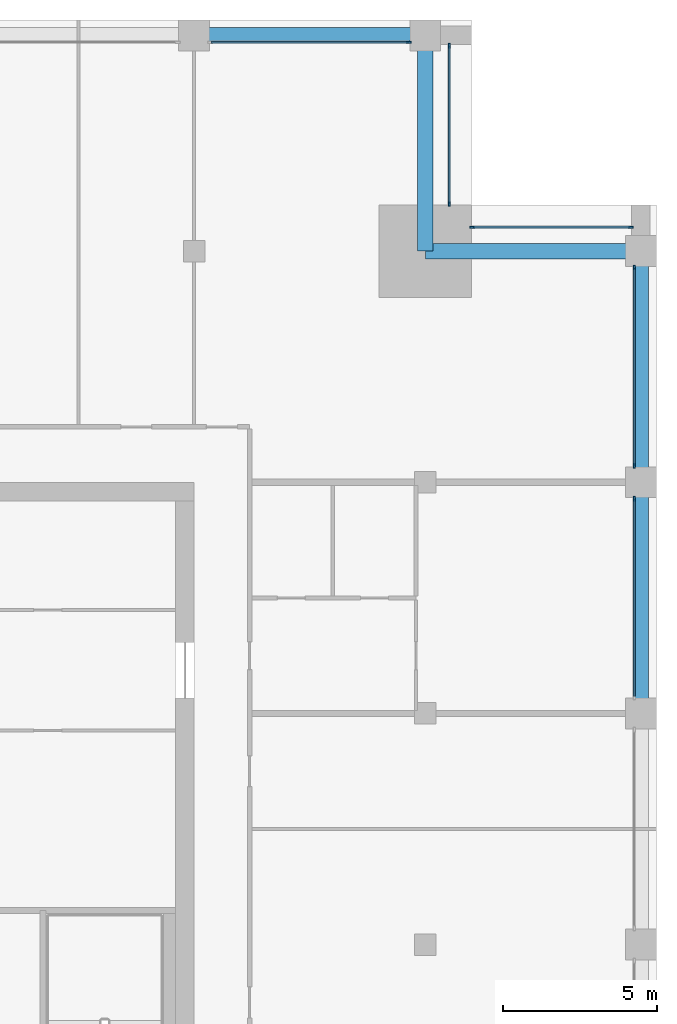
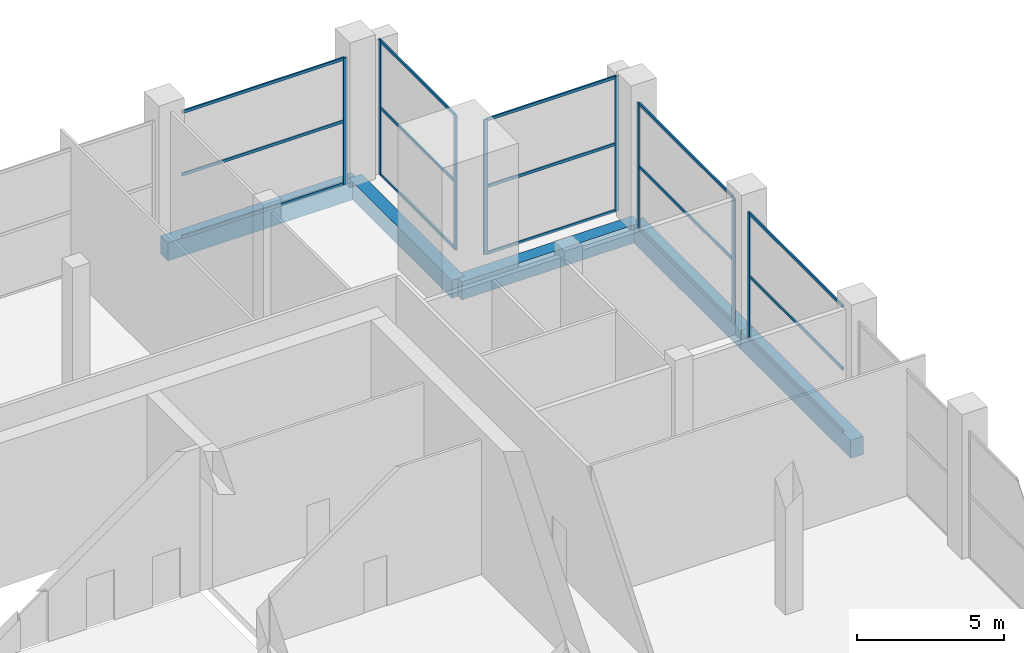
# One storey, part 6 of 15: 23 members, 5 beams, 5 elements without a shape of their own.
"""IFC4 building model written with IfcOpenShell, lengths in metres."""

from ifc_helpers import new_model, si_unit, direction, frame, origin, origin_2d, place, context, subcontext, project, spatial, rectangle, extrude, material, layer, layer_set, material_profile, profile_set, type_object, element, aggregate, save


model = new_model("IFC4")

# Units and contexts
model_context = context("Model", 3, precision=1e-05, world=origin(), true_north=direction((0.0, 1.0)))
body_context = subcontext(model_context, "Body", "Model", "MODEL_VIEW")
ifc_project = project(units=[si_unit("LENGTHUNIT", "METRE"), si_unit("AREAUNIT", "SQUARE_METRE"), si_unit("VOLUMEUNIT", "CUBIC_METRE"), si_unit("PLANEANGLEUNIT", "RADIAN"), si_unit("MASSUNIT", "GRAM", prefix="KILO")], contexts=[model_context])

# Site, building, storey
site_placement = place(None, origin())
site = spatial("IfcSite", under=ifc_project, at=site_placement, CompositionType="ELEMENT")
building_placement = place(site_placement, origin())
building = spatial("IfcBuilding", under=site, at=building_placement, Name="Tamorin Gate", CompositionType="ELEMENT")
storey_placement = place(building_placement, frame((0.0, 0.0, 308.699951171875)))
storey = spatial("IfcBuildingStorey", under=building, at=storey_placement, Name="L76", CompositionType="ELEMENT", Elevation=308.699951171875)

# Curtain wall, member
ifc_material_1 = material(Name="Aluminium mullions and transoms with clear glass", Category="aluminium")
ifc_layer = layer(ifc_material_1, 0.159912109375)
ifc_layer_set = layer_set([ifc_layer], Name="Curtain wall system CW4")
curtain_wall_type = type_object("IfcCurtainWallType", Name="Curtain wall system CW4", PredefinedType="NOTDEFINED", material=ifc_layer_set)
curtain_wall_1_placement = place(storey_placement, origin())
curtain_wall_1 = element("IfcCurtainWall", 1, at=curtain_wall_1_placement, inside=storey, type_object=curtain_wall_type, Name="Curtain wall", PredefinedType="NOTDEFINED")
ifc_material_2 = material(Name="Aluminium", Category="aluminium")
ifc_material_profile_1 = material_profile(ifc_material_2, rectangle(XDim=0.06005859375, YDim=0.159912109375, at=origin_2d()), Name="RECT 60x160")
ifc_profile_set_1 = profile_set([ifc_material_profile_1], Name="Aluminium")
member_type_1 = type_object("IfcMemberType", Name="Aluminium mullion 60x160", PredefinedType="MULLION", material=ifc_profile_set_1)
member_1_placement = place(storey_placement, frame((74.280029296875, 81.969970703125, 0.0), z_axis=(0.0, 0.0, 1.0), x_axis=(-1.0, 0.0, 0.0)))
member_1 = element("IfcMember", 2, at=member_1_placement, type_object=member_type_1, Name="CW4 mullion 2", PredefinedType="MULLION", context=body_context, shape_type="SweptSolid", body=[
    extrude(rectangle(XDim=0.06005859375, YDim=0.159912109375, at=origin_2d()), origin(), (0.0, 0.0, 1.0), 5.25),
])

# Curtain wall, members
curtain_wall_2_placement = place(storey_placement, origin())
curtain_wall_2 = element("IfcCurtainWall", 3, at=curtain_wall_2_placement, inside=storey, type_object=curtain_wall_type, Name="Curtain wall", PredefinedType="NOTDEFINED")
member_2_placement = place(storey_placement, frame((74.280029296875, 83.030029296875, 0.0), z_axis=(0.0, 0.0, 1.0), x_axis=(-1.0, 0.0, 0.0)))
member_2 = element("IfcMember", 4, at=member_2_placement, type_object=member_type_1, Name="CW4 mullion 1", PredefinedType="MULLION", context=body_context, shape_type="SweptSolid", body=[
    extrude(rectangle(XDim=0.06005859375, YDim=0.159912109375, at=origin_2d()), origin(), (0.0, 0.0, 1.0), 5.25),
])
member_3_placement = place(storey_placement, frame((74.280029296875, 89.469970703125, 0.0), z_axis=(0.0, 0.0, 1.0), x_axis=(-1.0, 0.0, 0.0)))
member_3 = element("IfcMember", 5, at=member_3_placement, type_object=member_type_1, Name="CW4 mullion 2", PredefinedType="MULLION", context=body_context, shape_type="SweptSolid", body=[
    extrude(rectangle(XDim=0.06005859375, YDim=0.159912109375, at=origin_2d()), origin(), (0.0, 0.0, 1.0), 5.25),
])

curtain_wall_3_placement = place(storey_placement, origin())
curtain_wall_3 = element("IfcCurtainWall", 6, at=curtain_wall_3_placement, inside=storey, type_object=curtain_wall_type, Name="Curtain wall", PredefinedType="NOTDEFINED")
member_4_placement = place(storey_placement, frame((74.169921875, 90.780029296875, 0.0), z_axis=(0.0, 0.0, 1.0), x_axis=(0.0, -1.0, 0.0)))
member_4 = element("IfcMember", 7, at=member_4_placement, type_object=member_type_1, Name="CW4 mullion 1", PredefinedType="MULLION", context=body_context, shape_type="SweptSolid", body=[
    extrude(rectangle(XDim=0.06005859375, YDim=0.159912109375, at=origin_2d()), origin(), (0.0, 0.0, 1.0), 5.60009765625),
])
member_5_placement = place(storey_placement, frame((69.030029296875, 90.780029296875, 0.0), z_axis=(0.0, 0.0, 1.0), x_axis=(0.0, -1.0, 0.0)))
member_5 = element("IfcMember", 8, at=member_5_placement, type_object=member_type_1, Name="CW4 mullion 2", PredefinedType="MULLION", context=body_context, shape_type="SweptSolid", body=[
    extrude(rectangle(XDim=0.06005859375, YDim=0.159912109375, at=origin_2d()), origin(), (0.0, 0.0, 1.0), 5.60009765625),
])

curtain_wall_4_placement = place(storey_placement, origin())
curtain_wall_4 = element("IfcCurtainWall", 9, at=curtain_wall_4_placement, inside=storey, type_object=curtain_wall_type, Name="Curtain wall", PredefinedType="NOTDEFINED")
member_6_placement = place(storey_placement, frame((68.280029296875, 91.530029296875, 0.0), z_axis=(0.0, 0.0, 1.0), x_axis=(-1.0, 0.0, 0.0)))
member_6 = element("IfcMember", 10, at=member_6_placement, type_object=member_type_1, Name="CW4 mullion 1", PredefinedType="MULLION", context=body_context, shape_type="SweptSolid", body=[
    extrude(rectangle(XDim=0.06005859375, YDim=0.159912109375, at=origin_2d()), origin(), (0.0, 0.0, 1.0), 5.60009765625),
])
member_7_placement = place(storey_placement, frame((68.280029296875, 96.669921875, 0.0), z_axis=(0.0, 0.0, 1.0), x_axis=(-1.0, 0.0, 0.0)))
member_7 = element("IfcMember", 11, at=member_7_placement, type_object=member_type_1, Name="CW4 mullion 2", PredefinedType="MULLION", context=body_context, shape_type="SweptSolid", body=[
    extrude(rectangle(XDim=0.06005859375, YDim=0.159912109375, at=origin_2d()), origin(), (0.0, 0.0, 1.0), 5.60009765625),
])

# Curtain wall, member
curtain_wall_5_placement = place(storey_placement, origin())
curtain_wall_5 = element("IfcCurtainWall", 12, at=curtain_wall_5_placement, inside=storey, type_object=curtain_wall_type, Name="Curtain wall", PredefinedType="NOTDEFINED")
member_8_placement = place(storey_placement, frame((66.969970703125, 96.780029296875, 0.0), z_axis=(0.0, 0.0, 1.0), x_axis=(0.0, -1.0, 0.0)))
member_8 = element("IfcMember", 13, at=member_8_placement, type_object=member_type_1, Name="CW4 mullion 1", PredefinedType="MULLION", context=body_context, shape_type="SweptSolid", body=[
    extrude(rectangle(XDim=0.06005859375, YDim=0.159912109375, at=origin_2d()), origin(), (0.0, 0.0, 1.0), 5.25),
])

# Member
ifc_material_profile_2 = material_profile(ifc_material_2, rectangle(XDim=0.06005859375, YDim=0.1201171875, at=origin_2d()), Name="RECT 60x120")
ifc_profile_set_2 = profile_set([ifc_material_profile_2], Name="Aluminium")
member_type_2 = type_object("IfcMemberType", Name="Aluminium transom 60x120", PredefinedType="USERDEFINED", material=ifc_profile_set_2)
member_9_placement = place(storey_placement, frame((74.280029296875, 75.56005859375, 0.030029296875), z_axis=(0.0, 1.0, 0.0), x_axis=(-1.0, 0.0, 0.0)))
member_9 = element("IfcMember", 14, at=member_9_placement, type_object=member_type_2, Name="CW4 transom 1.1", ObjectType="TRANSOM", PredefinedType="USERDEFINED", context=body_context, shape_type="SweptSolid", body=[
    extrude(rectangle(XDim=0.06005859375, YDim=0.1201171875, at=origin_2d()), origin(), (0.0, 0.0, 1.0), 6.3798828125),
])

member_10_placement = place(storey_placement, frame((74.280029296875, 75.56005859375, 2.625), z_axis=(0.0, 1.0, 0.0), x_axis=(-1.0, 0.0, 0.0)))
member_10 = element("IfcMember", 15, at=member_10_placement, type_object=member_type_2, Name="CW4 transom 1.2", ObjectType="TRANSOM", PredefinedType="USERDEFINED", context=body_context, shape_type="SweptSolid", body=[
    extrude(rectangle(XDim=0.06005859375, YDim=0.1201171875, at=origin_2d()), origin(), (0.0, 0.0, 1.0), 6.3798828125),
])

member_11_placement = place(storey_placement, frame((74.280029296875, 75.56005859375, 5.219970703125), z_axis=(0.0, 1.0, 0.0), x_axis=(-1.0, 0.0, 0.0)))
member_11 = element("IfcMember", 16, at=member_11_placement, type_object=member_type_2, Name="CW4 transom 1.3", ObjectType="TRANSOM", PredefinedType="USERDEFINED", context=body_context, shape_type="SweptSolid", body=[
    extrude(rectangle(XDim=0.06005859375, YDim=0.1201171875, at=origin_2d()), origin(), (0.0, 0.0, 1.0), 6.3798828125),
])

aggregate(curtain_wall_1, [member_1, member_9, member_10, member_11])

member_12_placement = place(storey_placement, frame((74.280029296875, 83.06005859375, 0.030029296875), z_axis=(0.0, 1.0, 0.0), x_axis=(-1.0, 0.0, 0.0)))
member_12 = element("IfcMember", 17, at=member_12_placement, type_object=member_type_2, Name="CW4 transom 1.1", ObjectType="TRANSOM", PredefinedType="USERDEFINED", context=body_context, shape_type="SweptSolid", body=[
    extrude(rectangle(XDim=0.06005859375, YDim=0.1201171875, at=origin_2d()), origin(), (0.0, 0.0, 1.0), 6.3798828125),
])

member_13_placement = place(storey_placement, frame((74.280029296875, 83.06005859375, 2.625), z_axis=(0.0, 1.0, 0.0), x_axis=(-1.0, 0.0, 0.0)))
member_13 = element("IfcMember", 18, at=member_13_placement, type_object=member_type_2, Name="CW4 transom 1.2", ObjectType="TRANSOM", PredefinedType="USERDEFINED", context=body_context, shape_type="SweptSolid", body=[
    extrude(rectangle(XDim=0.06005859375, YDim=0.1201171875, at=origin_2d()), origin(), (0.0, 0.0, 1.0), 6.3798828125),
])

member_14_placement = place(storey_placement, frame((74.280029296875, 83.06005859375, 5.219970703125), z_axis=(0.0, 1.0, 0.0), x_axis=(-1.0, 0.0, 0.0)))
member_14 = element("IfcMember", 19, at=member_14_placement, type_object=member_type_2, Name="CW4 transom 1.3", ObjectType="TRANSOM", PredefinedType="USERDEFINED", context=body_context, shape_type="SweptSolid", body=[
    extrude(rectangle(XDim=0.06005859375, YDim=0.1201171875, at=origin_2d()), origin(), (0.0, 0.0, 1.0), 6.3798828125),
])

aggregate(curtain_wall_2, [member_2, member_3, member_12, member_13, member_14])

member_15_placement = place(storey_placement, frame((74.139892578125, 90.780029296875, 0.030029296875), z_axis=(-1.0, 0.0, 0.0), x_axis=(0.0, -1.0, 0.0)))
member_15 = element("IfcMember", 20, at=member_15_placement, type_object=member_type_2, Name="CW4 transom 1.1", ObjectType="TRANSOM", PredefinedType="USERDEFINED", context=body_context, shape_type="SweptSolid", body=[
    extrude(rectangle(XDim=0.06005859375, YDim=0.1201171875, at=origin_2d()), origin(), (0.0, 0.0, 1.0), 5.079833984375),
])

member_16_placement = place(storey_placement, frame((74.139892578125, 90.780029296875, 2.800048828125), z_axis=(-1.0, 0.0, 0.0), x_axis=(0.0, -1.0, 0.0)))
member_16 = element("IfcMember", 21, at=member_16_placement, type_object=member_type_2, Name="CW4 transom 1.2", ObjectType="TRANSOM", PredefinedType="USERDEFINED", context=body_context, shape_type="SweptSolid", body=[
    extrude(rectangle(XDim=0.06005859375, YDim=0.1201171875, at=origin_2d()), origin(), (0.0, 0.0, 1.0), 5.079833984375),
])

member_17_placement = place(storey_placement, frame((74.139892578125, 90.780029296875, 5.570068359375), z_axis=(-1.0, 0.0, 0.0), x_axis=(0.0, -1.0, 0.0)))
member_17 = element("IfcMember", 22, at=member_17_placement, type_object=member_type_2, Name="CW4 transom 1.3", ObjectType="TRANSOM", PredefinedType="USERDEFINED", context=body_context, shape_type="SweptSolid", body=[
    extrude(rectangle(XDim=0.06005859375, YDim=0.1201171875, at=origin_2d()), origin(), (0.0, 0.0, 1.0), 5.079833984375),
])

aggregate(curtain_wall_3, [member_4, member_5, member_15, member_16, member_17])

member_18_placement = place(storey_placement, frame((68.280029296875, 91.56005859375, 0.030029296875), z_axis=(0.0, 1.0, 0.0), x_axis=(-1.0, 0.0, 0.0)))
member_18 = element("IfcMember", 23, at=member_18_placement, type_object=member_type_2, Name="CW4 transom 1.1", ObjectType="TRANSOM", PredefinedType="USERDEFINED", context=body_context, shape_type="SweptSolid", body=[
    extrude(rectangle(XDim=0.06005859375, YDim=0.1201171875, at=origin_2d()), origin(), (0.0, 0.0, 1.0), 5.079833984375),
])

member_19_placement = place(storey_placement, frame((68.280029296875, 91.56005859375, 2.800048828125), z_axis=(0.0, 1.0, 0.0), x_axis=(-1.0, 0.0, 0.0)))
member_19 = element("IfcMember", 24, at=member_19_placement, type_object=member_type_2, Name="CW4 transom 1.2", ObjectType="TRANSOM", PredefinedType="USERDEFINED", context=body_context, shape_type="SweptSolid", body=[
    extrude(rectangle(XDim=0.06005859375, YDim=0.1201171875, at=origin_2d()), origin(), (0.0, 0.0, 1.0), 5.079833984375),
])

member_20_placement = place(storey_placement, frame((68.280029296875, 91.56005859375, 5.570068359375), z_axis=(0.0, 1.0, 0.0), x_axis=(-1.0, 0.0, 0.0)))
member_20 = element("IfcMember", 25, at=member_20_placement, type_object=member_type_2, Name="CW4 transom 1.3", ObjectType="TRANSOM", PredefinedType="USERDEFINED", context=body_context, shape_type="SweptSolid", body=[
    extrude(rectangle(XDim=0.06005859375, YDim=0.1201171875, at=origin_2d()), origin(), (0.0, 0.0, 1.0), 5.079833984375),
])

aggregate(curtain_wall_4, [member_6, member_7, member_18, member_19, member_20])

member_21_placement = place(storey_placement, frame((66.93994140625, 96.780029296875, 0.030029296875), z_axis=(-1.0, 0.0, 0.0), x_axis=(0.0, -1.0, 0.0)))
member_21 = element("IfcMember", 26, at=member_21_placement, type_object=member_type_2, Name="CW4 transom 1.1", ObjectType="TRANSOM", PredefinedType="USERDEFINED", context=body_context, shape_type="SweptSolid", body=[
    extrude(rectangle(XDim=0.06005859375, YDim=0.1201171875, at=origin_2d()), origin(), (0.0, 0.0, 1.0), 6.3798828125),
])

member_22_placement = place(storey_placement, frame((66.93994140625, 96.780029296875, 2.625), z_axis=(-1.0, 0.0, 0.0), x_axis=(0.0, -1.0, 0.0)))
member_22 = element("IfcMember", 27, at=member_22_placement, type_object=member_type_2, Name="CW4 transom 1.2", ObjectType="TRANSOM", PredefinedType="USERDEFINED", context=body_context, shape_type="SweptSolid", body=[
    extrude(rectangle(XDim=0.06005859375, YDim=0.1201171875, at=origin_2d()), origin(), (0.0, 0.0, 1.0), 6.3798828125),
])

member_23_placement = place(storey_placement, frame((66.93994140625, 96.780029296875, 5.219970703125), z_axis=(-1.0, 0.0, 0.0), x_axis=(0.0, -1.0, 0.0)))
member_23 = element("IfcMember", 28, at=member_23_placement, type_object=member_type_2, Name="CW4 transom 1.3", ObjectType="TRANSOM", PredefinedType="USERDEFINED", context=body_context, shape_type="SweptSolid", body=[
    extrude(rectangle(XDim=0.06005859375, YDim=0.1201171875, at=origin_2d()), origin(), (0.0, 0.0, 1.0), 6.3798828125),
])

aggregate(curtain_wall_5, [member_8, member_21, member_22, member_23])

# Beams
ifc_material_3 = material(Name="Concrete C50/60", Category="concrete")
ifc_material_profile_3 = material_profile(ifc_material_3, rectangle(XDim=0.5, YDim=0.75, at=origin_2d()), Name="RC 500x750")
ifc_profile_set_3 = profile_set([ifc_material_profile_3], Name="Concrete C50/60")
beam_type = type_object("IfcBeamType", Name="RC spandrel 500x750 C50/60", PredefinedType="BEAM", material=ifc_profile_set_3)
for number, where, z_axis, x_axis, name in (
    (29, (74.5, 75.0, -0.375), (0.0, 1.0, 0.0), (-1.0, 0.0, 0.0), "Spandrel beam L76"),
    (30, (74.5, 82.5, -0.375), (0.0, 1.0, 0.0), (-1.0, 0.0, 0.0), "Spandrel beam L76"),
    (31, (67.5, 97.0, -0.375), (-1.0, 0.0, 0.0), (0.0, -1.0, 0.0), "Spandrel beam L76"),
):
    element("IfcBeam", number, at=place(storey_placement, frame(where, z_axis=z_axis, x_axis=x_axis)), inside=storey, type_object=beam_type, Name=name, PredefinedType="BEAM", context=body_context, shape_type="SweptSolid", body=[
        extrude(rectangle(XDim=0.5, YDim=0.75, at=origin_2d()), origin(), (0.0, 0.0, 1.0), 7.5),
    ])
for number, where, z_axis, x_axis, name in (
    (32, (67.5, 90.0, -0.375), (0.0, 1.0, 0.0), (-1.0, 0.0, 0.0), "Corner tie beam L76"),
    (33, (67.5, 90.0, -0.375), (1.0, 0.0, 0.0), (0.0, 1.0, 0.0), "Corner tie beam L76"),
):
    element("IfcBeam", number, at=place(storey_placement, frame(where, z_axis=z_axis, x_axis=x_axis)), inside=storey, type_object=beam_type, Name=name, PredefinedType="BEAM", context=body_context, shape_type="SweptSolid", body=[
        extrude(rectangle(XDim=0.5, YDim=0.75, at=origin_2d()), origin(), (0.0, 0.0, 1.0), 7.0),
    ])

save(model, "model.ifc")
